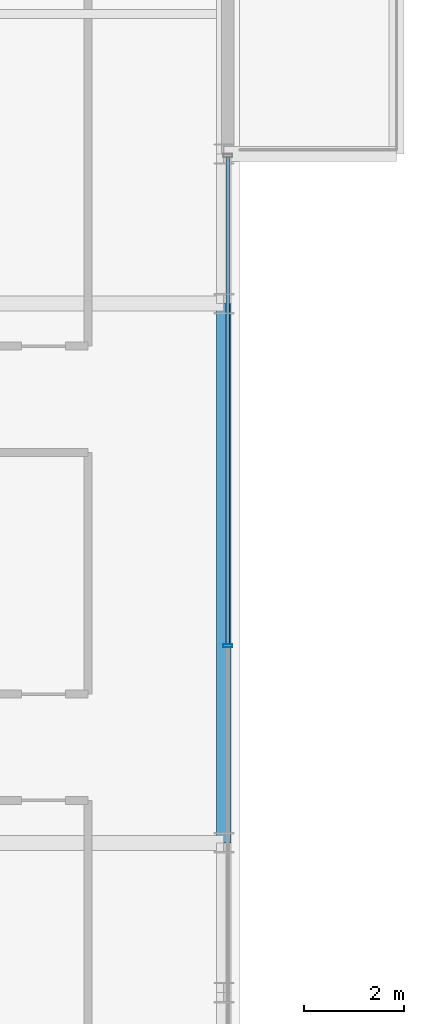
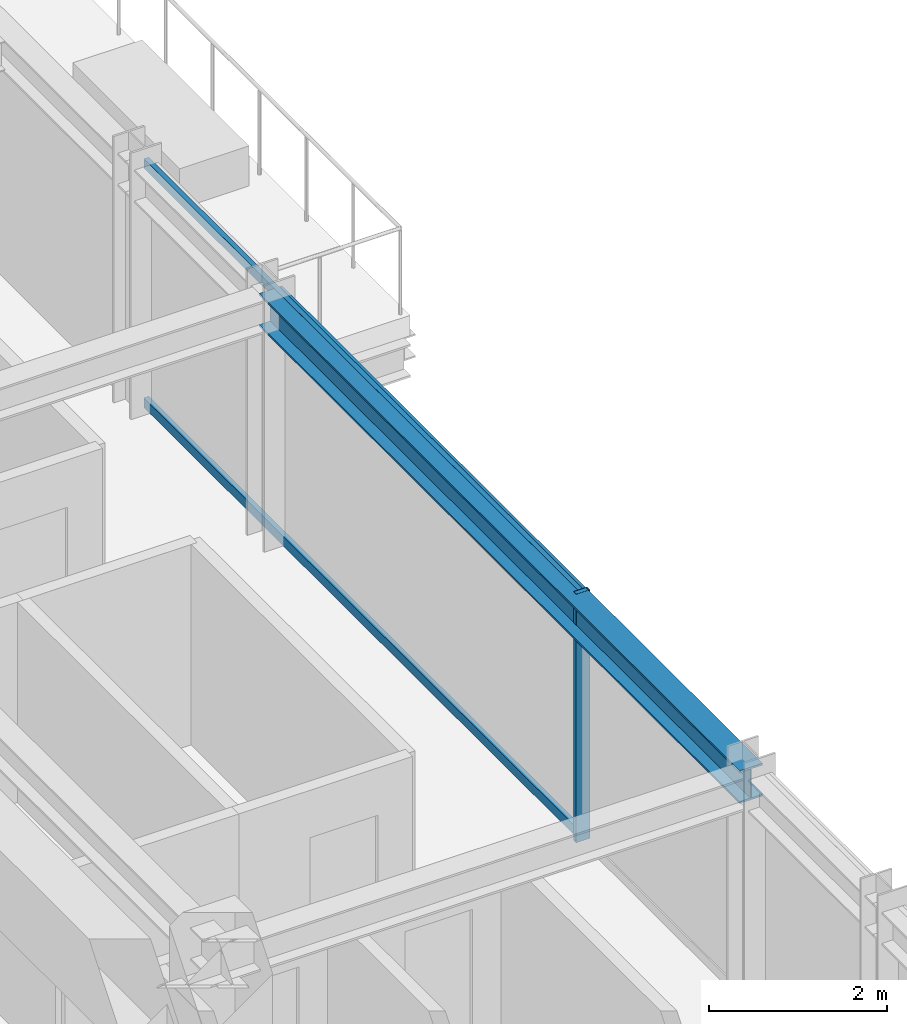
# One storey, part 17 of 36: 3 members, 1 beam, 1 element without a shape of its own.
"""IFC4 building model written with IfcOpenShell, lengths in metres."""

from ifc_helpers import new_model, si_unit, direction, frame, origin, origin_2d, place, context, subcontext, project, spatial, hollow_rectangle, i_section, extrude, source, transform, mapped, material, material_profile, profile_set, type_object, element, aggregate, save


model = new_model("IFC4")

# Units and contexts
model_context = context("Model", 3, precision=1e-05, world=origin(), true_north=direction((0.0, 1.0)))
body_context = subcontext(model_context, "Body", "Model", "MODEL_VIEW")
ifc_project = project(units=[si_unit("LENGTHUNIT", "METRE"), si_unit("AREAUNIT", "SQUARE_METRE"), si_unit("VOLUMEUNIT", "CUBIC_METRE"), si_unit("PLANEANGLEUNIT", "RADIAN"), si_unit("MASSUNIT", "GRAM", prefix="KILO")], contexts=[model_context])

# Site, building, storey
site_placement = place(None, origin())
site = spatial("IfcSite", under=ifc_project, at=site_placement, CompositionType="ELEMENT")
building_placement = place(site_placement, origin())
building = spatial("IfcBuilding", under=site, at=building_placement, Name="Nahalor Promenade Grand Hotel", CompositionType="ELEMENT")
storey_placement = place(building_placement, frame((0.0, 0.0, 223.39990234375)))
storey = spatial("IfcBuildingStorey", under=building, at=storey_placement, Name="L57", CompositionType="ELEMENT", Elevation=223.39990234375)

# Beam
ifc_material_1 = material(Name="Steel S355JR", Category="steel")
ifc_material_profile_1 = material_profile(ifc_material_1, i_section(OverallWidth=0.3, OverallDepth=0.45, WebThickness=0.014, FlangeThickness=0.026, at=origin_2d()), Name="HEB 450")
ifc_profile_set_1 = profile_set([ifc_material_profile_1], Name="Steel S355JR")
beam_type = type_object("IfcBeamType", Name="Beam-Spandrel-HEB450", PredefinedType="SPANDREL", material=ifc_profile_set_1)
shared_shape_1 = source(origin(), body_context, "Body", "SweptSolid", [
    extrude(i_section(OverallWidth=0.3, OverallDepth=0.45, WebThickness=0.014, FlangeThickness=0.026, at=origin_2d()), origin(), (0.0, 0.0, 1.0), 10.7998046875),
])
beam_placement = place(storey_placement, frame((23.8798828125, -5.39990234375, 3.18505859375), z_axis=(0.0, 1.0, 0.0), x_axis=(-1.0, 0.0, 0.0)))
element("IfcBeam", 1, at=beam_placement, inside=storey, type_object=beam_type, Name="BM-L57-SP-E-2", PredefinedType="SPANDREL", context=body_context, shape_type="MappedRepresentation", body=[
    mapped(shared_shape_1, transform((0.0, 0.0, 0.0), scale=1.0)),
])

# Curtain wall, members
ifc_material_2 = material(Name="Anodised Bronze Aluminium EN AW-6063 T6", Category="aluminium")
curtain_wall_type = type_object("IfcCurtainWallType", Name="CW2 Typical Hotel Flush Bronze Unitised Curtain Wall", PredefinedType="USERDEFINED", material=ifc_material_2)
curtain_wall_placement = place(storey_placement, origin())
curtain_wall = element("IfcCurtainWall", 2, at=curtain_wall_placement, inside=storey, type_object=curtain_wall_type, Name="L57 Curtain Wall CW-L57-E-1", ObjectType="UNITISED_CURTAIN_WALL", PredefinedType="USERDEFINED")
ifc_material_profile_2 = material_profile(ifc_material_2, hollow_rectangle(XDim=0.065, YDim=0.18, WallThickness=0.004, at=origin_2d()), Name="CWM 65x180x4")
ifc_profile_set_2 = profile_set([ifc_material_profile_2], Name="Anodised Bronze Aluminium EN AW-6063 T6")
member_type_1 = type_object("IfcMemberType", Name="CWM2 Typical Bronze Mullion 65x180", PredefinedType="MULLION", material=ifc_profile_set_2)
shared_shape_2 = source(origin(), body_context, "Body", "SweptSolid", [
    extrude(hollow_rectangle(XDim=0.065, YDim=0.18, WallThickness=0.004, at=origin_2d()), origin(), (0.0, 0.0, 1.0), 3.41015625),
])
member_1_placement = place(storey_placement, frame((23.9599609375, -1.453369140625, 0.0), z_axis=(0.0, 0.0, 1.0), x_axis=(0.0, 1.0, 0.0)))
member_1 = element("IfcMember", 3, at=member_1_placement, type_object=member_type_1, Name="CW-L57-E-1 Mullion 2", PredefinedType="MULLION", context=body_context, shape_type="MappedRepresentation", body=[
    mapped(shared_shape_2, transform((0.0, 0.0, 0.0), scale=1.0)),
])
ifc_material_profile_3 = material_profile(ifc_material_2, hollow_rectangle(XDim=0.065, YDim=0.13, WallThickness=0.004, at=origin_2d()), Name="CWT 65x130x4")
ifc_profile_set_3 = profile_set([ifc_material_profile_3], Name="Anodised Bronze Aluminium EN AW-6063 T6")
member_type_2 = type_object("IfcMemberType", Name="CWT2 Typical Bronze Transom 65x130", PredefinedType="USERDEFINED", material=ifc_profile_set_3)
shared_shape_3 = source(origin(), body_context, "Body", "SweptSolid", [
    extrude(hollow_rectangle(XDim=0.065, YDim=0.13, WallThickness=0.004, at=origin_2d()), origin(), (0.0, 0.0, 1.0), 9.755859375),
])
member_2_placement = place(storey_placement, frame((23.9599609375, -1.4208984375, 0.065185546875), z_axis=(0.0, 1.0, 0.0), x_axis=(-1.0, 0.0, 0.0)))
member_2 = element("IfcMember", 4, at=member_2_placement, type_object=member_type_2, Name="CW-L57-E-1 Transom 2-0", ObjectType="TRANSOM", PredefinedType="USERDEFINED", context=body_context, shape_type="MappedRepresentation", body=[
    mapped(shared_shape_3, transform((0.0, 0.0, 0.0), scale=1.0)),
])
member_3_placement = place(storey_placement, frame((23.9599609375, -1.4208984375, 3.34521484375), z_axis=(0.0, 1.0, 0.0), x_axis=(-1.0, 0.0, 0.0)))
member_3 = element("IfcMember", 5, at=member_3_placement, type_object=member_type_2, Name="CW-L57-E-1 Transom 2-1", ObjectType="TRANSOM", PredefinedType="USERDEFINED", context=body_context, shape_type="MappedRepresentation", body=[
    mapped(shared_shape_3, transform((0.0, 0.0, 0.0), scale=1.0)),
])
aggregate(curtain_wall, [member_1, member_2, member_3])

save(model, "model.ifc")
